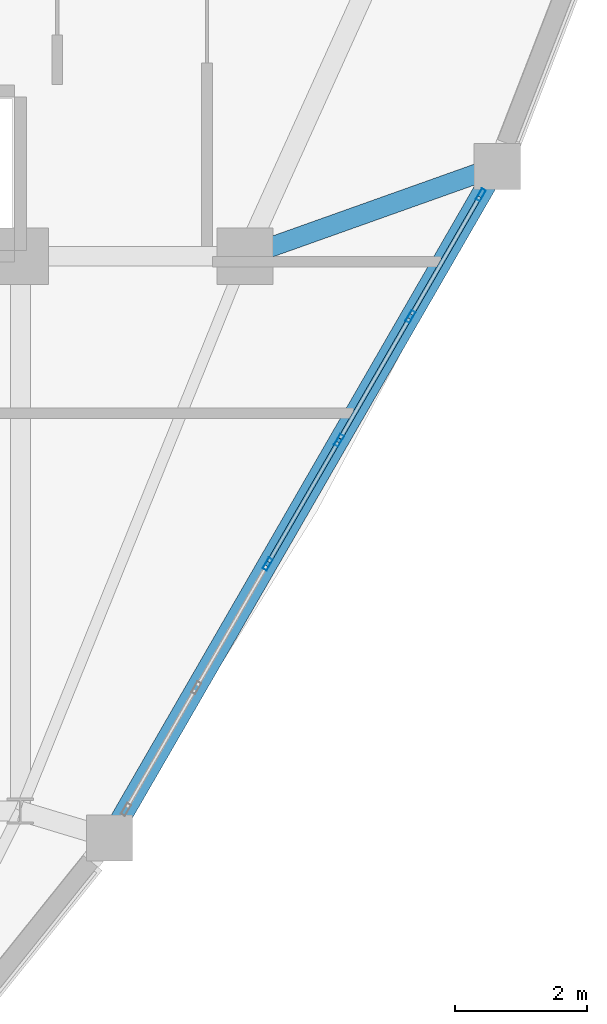
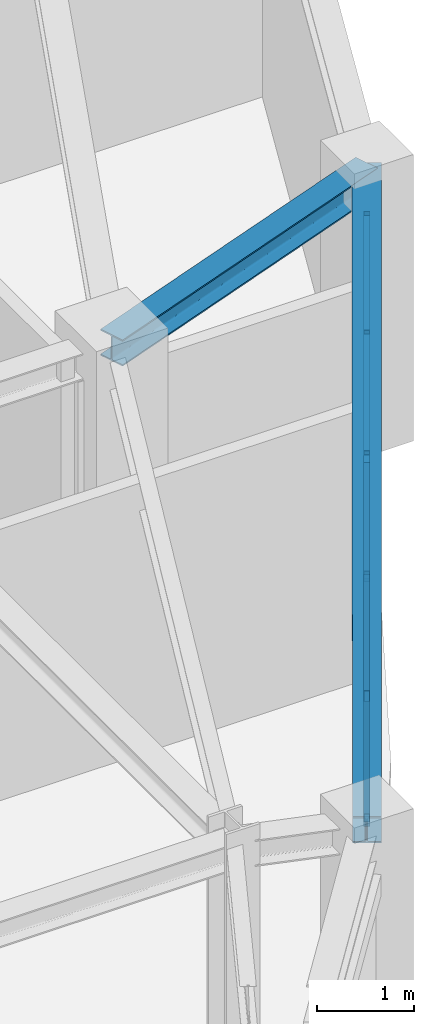
# One storey, part 7 of 15: 11 members, 2 beams, 1 element without a shape of its own.
"""IFC4 building model written with IfcOpenShell, lengths in metres."""

from ifc_helpers import new_model, si_unit, derived_unit, direction, frame, origin, origin_2d, place, context, subcontext, project, spatial, hollow_rectangle, i_section, extrude, source, transform, mapped, material, layer, layer_set, material_profile, profile_set, type_object, element, aggregate, save


model = new_model("IFC4")

# Units and contexts
model_context = context("Model", 3, precision=1e-05, world=origin(), true_north=direction((0.0, 1.0)))
body_context = subcontext(model_context, "Body", "Model", "MODEL_VIEW")
ifc_project = project(units=[si_unit("LENGTHUNIT", "METRE"), si_unit("AREAUNIT", "SQUARE_METRE"), si_unit("VOLUMEUNIT", "CUBIC_METRE"), si_unit("PLANEANGLEUNIT", "RADIAN"), si_unit("MASSUNIT", "GRAM", prefix="KILO"), derived_unit("THERMALTRANSMITTANCEUNIT", [(si_unit("POWERUNIT", "WATT"), 1), (si_unit("LENGTHUNIT", "METRE"), -2), (si_unit("THERMODYNAMICTEMPERATUREUNIT", "KELVIN"), -1)])], contexts=[model_context])

# Site, building, storey
site_placement = place(None, origin())
site = spatial("IfcSite", under=ifc_project, at=site_placement, CompositionType="ELEMENT")
building_placement = place(site_placement, origin())
building = spatial("IfcBuilding", under=site, at=building_placement, Name="Korsvarv Bourse and Concert Hall", CompositionType="ELEMENT")
storey_placement = place(building_placement, frame((0.0, 0.0, 264.60009765625)))
storey = spatial("IfcBuildingStorey", under=building, at=storey_placement, Name="L69", CompositionType="ELEMENT", Elevation=264.60009765625)

# Beams
ifc_material_1 = material(Name="Steel S355", Category="steel")
ifc_material_profile_1 = material_profile(ifc_material_1, i_section(OverallWidth=0.300048828125, OverallDepth=0.330078125, WebThickness=0.009521484375, FlangeThickness=0.0166015625, FilletRadius=0.02099609375, at=origin_2d()), Name="HEA 340")
ifc_profile_set_1 = profile_set([ifc_material_profile_1], Name="Steel S355")
beam_type = type_object("IfcBeamType", Name="BM-HEA340", PredefinedType="BEAM", material=ifc_profile_set_1)
shared_shape_1 = source(origin(), body_context, "Body", "SweptSolid", [
    extrude(i_section(OverallWidth=0.300048828125, OverallDepth=0.330078125, WebThickness=0.009521484375, FlangeThickness=0.0166015625, FilletRadius=0.02099609375, at=origin_2d()), origin(), (0.0, 0.0, 1.0), 11.739013671875),
])
beam_1_placement = place(storey_placement, frame((45.749755859375, 23.593505859375, 3.244873046875), z_axis=(0.499993096883, 0.866029389264, 0.0), x_axis=(-0.866029389264, 0.499993096883, 0.0)))
element("IfcBeam", 1, at=beam_1_placement, inside=storey, type_object=beam_type, Name="L69 beam B-12", PredefinedType="BEAM", context=body_context, shape_type="MappedRepresentation", body=[
    mapped(shared_shape_1, transform((0.0, 0.0, 0.0), scale=1.0)),
])
shared_shape_2 = source(origin(), body_context, "Body", "SweptSolid", [
    extrude(i_section(OverallWidth=0.300048828125, OverallDepth=0.330078125, WebThickness=0.009521484375, FlangeThickness=0.0166015625, FilletRadius=0.02099609375, at=origin_2d()), origin(), (0.0, 0.0, 1.0), 4.053955078125),
])
beam_2_placement = place(storey_placement, frame((51.619140625, 33.759765625, 3.244873046875), z_axis=(-0.94206167273, -0.335439718539, 0.0), x_axis=(0.335439718539, -0.94206167273, 0.0)))
element("IfcBeam", 2, at=beam_2_placement, inside=storey, type_object=beam_type, Name="L69 beam B-12", PredefinedType="BEAM", context=body_context, shape_type="MappedRepresentation", body=[
    mapped(shared_shape_2, transform((0.0, 0.0, 0.0), scale=1.0)),
])

# Curtain wall, members
ifc_material_2 = material(Name="Anodised aluminium and triple low-E glazing", Category="glass")
ifc_layer = layer(ifc_material_2, 0.199951171875)
ifc_layer_set = layer_set([ifc_layer], Name="Anodised aluminium and triple low-E glazing")
curtain_wall_type = type_object("IfcCurtainWallType", Name="CW-SYS-3", PredefinedType="NOTDEFINED", material=ifc_layer_set)
curtain_wall_placement = place(storey_placement, origin())
curtain_wall = element("IfcCurtainWall", 3, at=curtain_wall_placement, inside=storey, type_object=curtain_wall_type, Name="L69 CW3 curtain wall CW-L69-F11", PredefinedType="NOTDEFINED")
ifc_material_3 = material(Name="Extruded aluminium EN AW-6063 T66", Category="aluminium")
ifc_material_profile_2 = material_profile(ifc_material_3, hollow_rectangle(XDim=0.070068359375, YDim=0.18994140625, WallThickness=0.0048828125, at=origin_2d()), Name="ALU-M 70x190")
ifc_profile_set_2 = profile_set([ifc_material_profile_2], Name="Extruded aluminium EN AW-6063 T66")
member_type_1 = type_object("IfcMemberType", Name="CWM-190", PredefinedType="MULLION", material=ifc_profile_set_2)
shared_shape_3 = source(origin(), body_context, "Body", "SweptSolid", [
    extrude(hollow_rectangle(XDim=0.070068359375, YDim=0.18994140625, WallThickness=0.0048828125, at=origin_2d()), origin(), (0.0, 0.0, 1.0), 3.079833984375),
])
member_1_placement = place(storey_placement, frame((48.143798828125, 27.739990234375, 0.0), z_axis=(0.0, 0.0, 1.0), x_axis=(-0.866022834448, 0.500004450195, 0.0)))
member_1 = element("IfcMember", 4, at=member_1_placement, type_object=member_type_1, Name="CW3 mullion 3", PredefinedType="MULLION", context=body_context, shape_type="MappedRepresentation", body=[
    mapped(shared_shape_3, transform((0.0, 0.0, 0.0), scale=1.0)),
])
member_2_placement = place(storey_placement, frame((49.225341796875, 29.61328125, 0.0), z_axis=(0.0, 0.0, 1.0), x_axis=(-0.866022834448, 0.500004450195, 0.0)))
member_2 = element("IfcMember", 5, at=member_2_placement, type_object=member_type_1, Name="CW3 mullion 4", PredefinedType="MULLION", context=body_context, shape_type="MappedRepresentation", body=[
    mapped(shared_shape_3, transform((0.0, 0.0, 0.0), scale=1.0)),
])
member_3_placement = place(storey_placement, frame((50.306640625, 31.486572265625, 0.0), z_axis=(0.0, 0.0, 1.0), x_axis=(-0.866022834448, 0.500004450195, 0.0)))
member_3 = element("IfcMember", 6, at=member_3_placement, type_object=member_type_1, Name="CW3 mullion 5", PredefinedType="MULLION", context=body_context, shape_type="MappedRepresentation", body=[
    mapped(shared_shape_3, transform((0.0, 0.0, 0.0), scale=1.0)),
])
member_4_placement = place(storey_placement, frame((51.370849609375, 33.32958984375, 0.0), z_axis=(0.0, 0.0, 1.0), x_axis=(-0.866022834448, 0.500004450195, 0.0)))
member_4 = element("IfcMember", 7, at=member_4_placement, type_object=member_type_1, Name="CW3 mullion 6", PredefinedType="MULLION", context=body_context, shape_type="MappedRepresentation", body=[
    mapped(shared_shape_3, transform((0.0, 0.0, 0.0), scale=1.0)),
])
ifc_material_profile_3 = material_profile(ifc_material_3, hollow_rectangle(XDim=0.06494140625, YDim=0.139892578125, WallThickness=0.00390625, at=origin_2d()), Name="ALU-T 65x140")
ifc_profile_set_3 = profile_set([ifc_material_profile_3], Name="Extruded aluminium EN AW-6063 T66")
member_type_2 = type_object("IfcMemberType", Name="CWT-140", PredefinedType="USERDEFINED", material=ifc_profile_set_3)
shared_shape_4 = source(origin(), body_context, "Body", "SweptSolid", [
    extrude(hollow_rectangle(XDim=0.06494140625, YDim=0.139892578125, WallThickness=0.00390625, at=origin_2d()), origin(), (0.0, 0.0, 1.0), 2.057861328125),
])
member_5_placement = place(storey_placement, frame((50.32421875, 31.516845703125, 0.032470703125), z_axis=(0.500030520673, 0.866007781949, 0.0), x_axis=(-0.866007781949, 0.500030520673, 0.0)))
member_5 = element("IfcMember", 8, at=member_5_placement, type_object=member_type_2, Name="CW3 transom 5.1", ObjectType="TRANSOM", PredefinedType="USERDEFINED", context=body_context, shape_type="MappedRepresentation", body=[
    mapped(shared_shape_4, transform((0.0, 0.0, 0.0), scale=1.0)),
])
member_6_placement = place(storey_placement, frame((50.32421875, 31.516845703125, 3.04736328125), z_axis=(0.500030520673, 0.866007781949, 0.0), x_axis=(-0.866007781949, 0.500030520673, 0.0)))
member_6 = element("IfcMember", 9, at=member_6_placement, type_object=member_type_2, Name="CW3 transom 5.2", ObjectType="TRANSOM", PredefinedType="USERDEFINED", context=body_context, shape_type="MappedRepresentation", body=[
    mapped(shared_shape_4, transform((0.0, 0.0, 0.0), scale=1.0)),
])
shared_shape_5 = source(origin(), body_context, "Body", "SweptSolid", [
    extrude(hollow_rectangle(XDim=0.06494140625, YDim=0.139892578125, WallThickness=0.00390625, at=origin_2d()), origin(), (0.0, 0.0, 1.0), 2.09326171875),
])
member_7_placement = place(storey_placement, frame((48.1611328125, 27.770263671875, 0.032470703125), z_axis=(0.5000152428, 0.866016603171, 0.0), x_axis=(-0.866016603171, 0.5000152428, 0.0)))
member_7 = element("IfcMember", 10, at=member_7_placement, type_object=member_type_2, Name="CW3 transom 3.1", ObjectType="TRANSOM", PredefinedType="USERDEFINED", context=body_context, shape_type="MappedRepresentation", body=[
    mapped(shared_shape_5, transform((0.0, 0.0, 0.0), scale=1.0)),
])
member_8_placement = place(storey_placement, frame((48.1611328125, 27.770263671875, 3.04736328125), z_axis=(0.5000152428, 0.866016603171, 0.0), x_axis=(-0.866016603171, 0.5000152428, 0.0)))
member_8 = element("IfcMember", 11, at=member_8_placement, type_object=member_type_2, Name="CW3 transom 3.2", ObjectType="TRANSOM", PredefinedType="USERDEFINED", context=body_context, shape_type="MappedRepresentation", body=[
    mapped(shared_shape_5, transform((0.0, 0.0, 0.0), scale=1.0)),
])
member_9_placement = place(storey_placement, frame((49.24267578125, 29.6435546875, 0.032470703125), z_axis=(0.5000152428, 0.866016603171, 0.0), x_axis=(-0.866016603171, 0.5000152428, 0.0)))
member_9 = element("IfcMember", 12, at=member_9_placement, type_object=member_type_2, Name="CW3 transom 4.1", ObjectType="TRANSOM", PredefinedType="USERDEFINED", context=body_context, shape_type="MappedRepresentation", body=[
    mapped(shared_shape_5, transform((0.0, 0.0, 0.0), scale=1.0)),
])
member_10_placement = place(storey_placement, frame((49.24267578125, 29.6435546875, 3.04736328125), z_axis=(0.5000152428, 0.866016603171, 0.0), x_axis=(-0.866016603171, 0.5000152428, 0.0)))
member_10 = element("IfcMember", 13, at=member_10_placement, type_object=member_type_2, Name="CW3 transom 4.2", ObjectType="TRANSOM", PredefinedType="USERDEFINED", context=body_context, shape_type="MappedRepresentation", body=[
    mapped(shared_shape_5, transform((0.0, 0.0, 0.0), scale=1.0)),
])
ifc_material_profile_4 = material_profile(ifc_material_3, hollow_rectangle(XDim=0.06494140625, YDim=0.1650390625, WallThickness=0.0048828125, at=origin_2d()), Name="ALU-M 65x165")
ifc_profile_set_4 = profile_set([ifc_material_profile_4], Name="Extruded aluminium EN AW-6063 T66")
member_type_3 = type_object("IfcMemberType", Name="CWM-165", PredefinedType="MULLION", material=ifc_profile_set_4)
shared_shape_6 = source(origin(), body_context, "Body", "SweptSolid", [
    extrude(hollow_rectangle(XDim=0.06494140625, YDim=0.1650390625, WallThickness=0.0048828125, at=origin_2d()), origin(), (0.0, 0.0, 1.0), 3.6171875),
])
member_11_placement = place(storey_placement, frame((48.1611328125, 27.770263671875, 0.06494140625), z_axis=(0.289353288749, 0.501154226489, 0.815548352682), x_axis=(-0.866016603171, 0.5000152428, 0.0)))
member_11 = element("IfcMember", 14, at=member_11_placement, type_object=member_type_3, Name="CW3 diagonal mullion 3", PredefinedType="MULLION", context=body_context, shape_type="MappedRepresentation", body=[
    mapped(shared_shape_6, transform((0.0, 0.0, 0.0), scale=1.0)),
])
aggregate(curtain_wall, [member_1, member_2, member_3, member_4, member_7, member_8, member_11, member_9, member_10, member_5, member_6])

save(model, "model.ifc")
